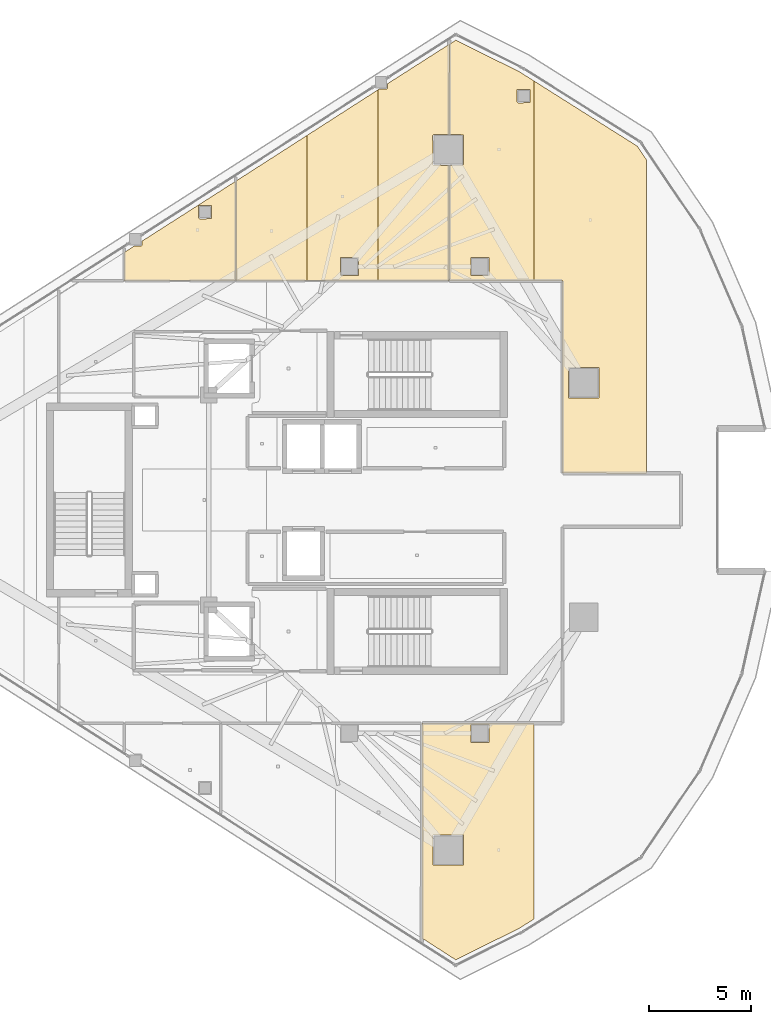
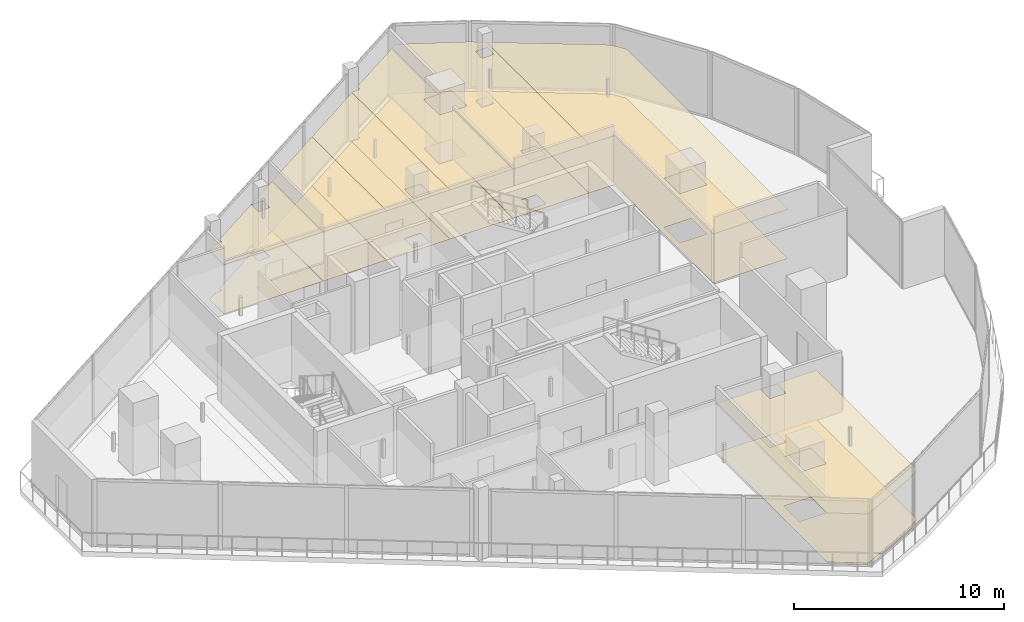
# One storey, part 25 of 25: 14 coverings.
"""IFC4 building model written with IfcOpenShell, lengths in metres."""

from ifc_helpers import new_model, si_unit, direction, frame, origin, place, context, subcontext, project, spatial, polyline, outline, extrude, material, layer, layer_set, type_object, element, save


model = new_model("IFC4")

# Units and contexts
model_context = context("Model", 3, precision=1e-05, world=origin(), true_north=direction((0.0, 1.0)))
body_context = subcontext(model_context, "Body", "Model", "MODEL_VIEW")
ifc_project = project(units=[si_unit("LENGTHUNIT", "METRE"), si_unit("AREAUNIT", "SQUARE_METRE"), si_unit("VOLUMEUNIT", "CUBIC_METRE"), si_unit("PLANEANGLEUNIT", "RADIAN"), si_unit("MASSUNIT", "GRAM", prefix="KILO")], contexts=[model_context])

# Site, building, storey
site_placement = place(None, origin())
site = spatial("IfcSite", under=ifc_project, at=site_placement, CompositionType="ELEMENT")
building_placement = place(site_placement, origin())
building = spatial("IfcBuilding", under=site, at=building_placement, Name="Qorvath Tower", CompositionType="ELEMENT")
storey_placement = place(building_placement, frame((0.0, 0.0, 297.60009765625)))
storey = spatial("IfcBuildingStorey", under=building, at=storey_placement, Name="L69", CompositionType="ELEMENT", Elevation=297.60009765625)

# Coverings
ifc_material_1 = material(Name="Acoustic mineral fibre ceiling tile", Category="gypsum")
ifc_layer_1 = layer(ifc_material_1, 0.030029296875)
ifc_layer_set_1 = layer_set([ifc_layer_1], Name="COV-CEIL")
covering_type_1 = type_object("IfcCoveringType", Name="COV-CEIL", PredefinedType="CEILING", material=ifc_layer_set_1)
covering_1_placement = place(storey_placement, frame((0.0, 0.0, 2.849853515625)))
element("IfcCovering", 1, at=covering_1_placement, inside=storey, type_object=covering_type_1, Name="L69 Suspended Acoustic Ceiling 015", PredefinedType="CEILING", context=body_context, shape_type="SweptSolid", body=[
    extrude(outline(polyline([(-20.034912109375, -10.962890625), (-20.0361328125, -21.495849609375), (-18.3740234375, -22.564697265625), (-15.2392578125, -21.0009765625), (-14.53173828125, -20.55419921875), (-14.53173828125, -10.9619140625), (-20.034912109375, -10.962890625)]), holes=[polyline([(-17.642333984375, -11.892333984375), (-17.642333984375, -11.007568359375), (-16.757568359375, -11.007568359375), (-16.757568359375, -11.892333984375), (-17.642333984375, -11.892333984375)]), polyline([(-19.492919921875, -17.91796875), (-19.492919921875, -16.43310546875), (-18.008056640625, -16.43310546875), (-18.008056640625, -17.91796875), (-19.492919921875, -17.91796875)])]), origin(), (0.0, 0.0, 1.0), 0.030029296875),
])
covering_2_placement = place(storey_placement, frame((0.0, 0.0, 2.849853515625)))
element("IfcCovering", 2, at=covering_2_placement, inside=storey, type_object=covering_type_1, Name="L69 Suspended Acoustic Ceiling 016", PredefinedType="CEILING", context=body_context, shape_type="SweptSolid", body=[
    extrude(outline(polyline([(-14.53173828125, 10.761962890625), (-14.53173828125, 20.553955078125), (-15.240966796875, 21.001708984375), (-18.3740234375, 22.564697265625), (-18.693603515625, 22.352294921875), (-18.693603515625, 17.935546875), (-18.008056640625, 17.91796875), (-17.990478515625, 16.4755859375), (-18.050537109375, 16.41552734375), (-18.693603515625, 16.41552734375), (-18.693603515625, 10.762939453125), (-14.53173828125, 10.761962890625)]), holes=[polyline([(-15.381103515625, 19.543212890625), (-15.363525390625, 20.135498046875), (-14.728759765625, 20.135498046875), (-14.728759765625, 19.500732421875), (-15.321044921875, 19.483154296875), (-15.381103515625, 19.543212890625)]), polyline([(-17.642333984375, 11.007568359375), (-17.642333984375, 11.892333984375), (-16.757568359375, 11.892333984375), (-16.757568359375, 11.007568359375), (-17.642333984375, 11.007568359375)])]), origin(), (0.0, 0.0, 1.0), 0.030029296875),
])
covering_3_placement = place(storey_placement, frame((0.0, 0.0, 2.849853515625)))
element("IfcCovering", 3, at=covering_3_placement, inside=storey, type_object=covering_type_1, Name="L69 Suspended Acoustic Ceiling 017", PredefinedType="CEILING", context=body_context, shape_type="SweptSolid", body=[
    extrude(outline(polyline([(-9.02734375, 1.31201171875), (-9.02734375, 16.701171875), (-9.476806640625, 17.362548828125), (-14.53173828125, 20.553955078125), (-14.53173828125, 10.761962890625), (-13.138427734375, 10.761474609375), (-13.136962890625, 1.31298828125), (-9.02734375, 1.31201171875)]), holes=[polyline([(-12.839111328125, 5.015380859375), (-12.839111328125, 6.500244140625), (-11.3544921875, 6.500244140625), (-11.3544921875, 5.015380859375), (-12.839111328125, 5.015380859375)])]), origin(), (0.0, 0.0, 1.0), 0.030029296875),
])
covering_4_placement = place(storey_placement, frame((0.0, 0.0, 2.849853515625)))
element("IfcCovering", 4, at=covering_4_placement, inside=storey, type_object=covering_type_1, Name="L69 Suspended Acoustic Ceiling 018", PredefinedType="CEILING", context=body_context, shape_type="SweptSolid", body=[
    extrude(outline(polyline([(-29.188232421875, 15.6318359375), (-33.769287109375, 12.7041015625), (-33.786865234375, 12.47509765625), (-34.155029296875, 12.45751953125), (-34.636962890625, 12.1494140625), (-34.636962890625, 10.762939453125), (-29.188232421875, 10.762939453125), (-29.188232421875, 15.6318359375)]), holes=[polyline([(-30.99462890625, 14.441650390625), (-30.35986328125, 14.441650390625), (-30.35986328125, 13.806884765625), (-30.9521484375, 13.789306640625), (-31.01220703125, 13.849365234375), (-30.99462890625, 14.441650390625)])]), origin(), (0.0, 0.0, 1.0), 0.030029296875),
])
covering_5_placement = place(storey_placement, frame((0.0, 0.0, 2.849853515625)))
element("IfcCovering", 5, at=covering_5_placement, inside=storey, type_object=covering_type_1, Name="L69 Suspended Acoustic Ceiling 019", PredefinedType="CEILING", context=body_context, shape_type="SweptSolid", body=[
    extrude(outline(polyline([(-25.677490234375, 10.762939453125), (-25.677490234375, 17.887451171875), (-29.170166015625, 15.6435546875), (-29.170166015625, 10.762939453125), (-25.677490234375, 10.762939453125)])), origin(), (0.0, 0.0, 1.0), 0.030029296875),
])
covering_6_placement = place(storey_placement, frame((0.0, 0.0, 2.849853515625)))
element("IfcCovering", 6, at=covering_6_placement, inside=storey, type_object=covering_type_1, Name="L69 Suspended Acoustic Ceiling 020", PredefinedType="CEILING", context=body_context, shape_type="SweptSolid", body=[
    extrude(outline(polyline([(-22.1845703125, 10.762939453125), (-22.1845703125, 20.131591796875), (-25.677490234375, 17.887451171875), (-25.677490234375, 10.762939453125), (-22.1845703125, 10.762939453125)]), holes=[polyline([(-24.04248046875, 11.007568359375), (-24.04248046875, 11.892333984375), (-23.157470703125, 11.892333984375), (-23.157470703125, 11.007568359375), (-24.04248046875, 11.007568359375)])]), origin(), (0.0, 0.0, 1.0), 0.030029296875),
])
covering_7_placement = place(storey_placement, frame((0.0, 0.0, 2.849853515625)))
element("IfcCovering", 7, at=covering_7_placement, inside=storey, type_object=covering_type_1, Name="L69 Suspended Acoustic Ceiling 021", PredefinedType="CEILING", context=body_context, shape_type="SweptSolid", body=[
    extrude(outline(polyline([(-21.7783203125, 20.159912109375), (-22.140380859375, 20.159912109375), (-22.1845703125, 20.131591796875), (-22.1845703125, 10.762939453125), (-18.711669921875, 10.762939453125), (-18.711669921875, 16.41552734375), (-19.492919921875, 16.43310546875), (-19.510498046875, 17.87548828125), (-19.45068359375, 17.935546875), (-18.71142578125, 17.935546875), (-18.69189453125, 22.363037109375), (-21.71826171875, 20.429931640625), (-21.71826171875, 20.219970703125), (-21.7783203125, 20.159912109375)])), origin(), (0.0, 0.0, 1.0), 0.030029296875),
])
ifc_material_2 = material(Name="Low-VOC modular carpet tile", Category="textile")
ifc_layer_2 = layer(ifc_material_2, 0.014892578125)
ifc_layer_set_2 = layer_set([ifc_layer_2], Name="COV-FLOOR-CPT")
covering_type_2 = type_object("IfcCoveringType", Name="COV-FLOOR-CPT", PredefinedType="FLOORING", material=ifc_layer_set_2)
covering_8_placement = place(storey_placement, origin())
element("IfcCovering", 8, at=covering_8_placement, inside=storey, type_object=covering_type_2, Name="L69 Floor Finish 015", PredefinedType="FLOORING", context=body_context, shape_type="SweptSolid", body=[
    extrude(outline(polyline([(-20.034912109375, -10.962890625), (-20.0361328125, -21.495849609375), (-18.3740234375, -22.564697265625), (-15.2392578125, -21.0009765625), (-14.53173828125, -20.55419921875), (-14.53173828125, -10.9619140625), (-20.034912109375, -10.962890625)]), holes=[polyline([(-17.642333984375, -11.892333984375), (-17.642333984375, -11.007568359375), (-16.757568359375, -11.007568359375), (-16.757568359375, -11.892333984375), (-17.642333984375, -11.892333984375)]), polyline([(-19.492919921875, -17.91796875), (-19.492919921875, -16.43310546875), (-18.008056640625, -16.43310546875), (-18.008056640625, -17.91796875), (-19.492919921875, -17.91796875)])]), origin(), (0.0, 0.0, 1.0), 0.014892578125),
])
covering_9_placement = place(storey_placement, origin())
element("IfcCovering", 9, at=covering_9_placement, inside=storey, type_object=covering_type_2, Name="L69 Floor Finish 016", PredefinedType="FLOORING", context=body_context, shape_type="SweptSolid", body=[
    extrude(outline(polyline([(-14.53173828125, 10.761962890625), (-14.53173828125, 20.553955078125), (-15.240966796875, 21.001708984375), (-18.3740234375, 22.564697265625), (-18.693603515625, 22.352294921875), (-18.693603515625, 17.935546875), (-18.008056640625, 17.91796875), (-17.990478515625, 16.4755859375), (-18.050537109375, 16.41552734375), (-18.693603515625, 16.41552734375), (-18.693603515625, 10.762939453125), (-14.53173828125, 10.761962890625)]), holes=[polyline([(-15.381103515625, 19.543212890625), (-15.363525390625, 20.135498046875), (-14.728759765625, 20.135498046875), (-14.728759765625, 19.500732421875), (-15.321044921875, 19.483154296875), (-15.381103515625, 19.543212890625)]), polyline([(-17.642333984375, 11.007568359375), (-17.642333984375, 11.892333984375), (-16.757568359375, 11.892333984375), (-16.757568359375, 11.007568359375), (-17.642333984375, 11.007568359375)])]), origin(), (0.0, 0.0, 1.0), 0.014892578125),
])
covering_10_placement = place(storey_placement, origin())
element("IfcCovering", 10, at=covering_10_placement, inside=storey, type_object=covering_type_2, Name="L69 Floor Finish 017", PredefinedType="FLOORING", context=body_context, shape_type="SweptSolid", body=[
    extrude(outline(polyline([(-9.02734375, 1.31201171875), (-9.02734375, 16.701171875), (-9.476806640625, 17.362548828125), (-14.53173828125, 20.553955078125), (-14.53173828125, 10.761962890625), (-13.138427734375, 10.761474609375), (-13.136962890625, 1.31298828125), (-9.02734375, 1.31201171875)]), holes=[polyline([(-12.839111328125, 5.015380859375), (-12.839111328125, 6.500244140625), (-11.3544921875, 6.500244140625), (-11.3544921875, 5.015380859375), (-12.839111328125, 5.015380859375)])]), origin(), (0.0, 0.0, 1.0), 0.014892578125),
])
covering_11_placement = place(storey_placement, origin())
element("IfcCovering", 11, at=covering_11_placement, inside=storey, type_object=covering_type_2, Name="L69 Floor Finish 018", PredefinedType="FLOORING", context=body_context, shape_type="SweptSolid", body=[
    extrude(outline(polyline([(-29.188232421875, 15.6318359375), (-33.769287109375, 12.7041015625), (-33.786865234375, 12.47509765625), (-34.155029296875, 12.45751953125), (-34.636962890625, 12.1494140625), (-34.636962890625, 10.762939453125), (-29.188232421875, 10.762939453125), (-29.188232421875, 15.6318359375)]), holes=[polyline([(-30.99462890625, 14.441650390625), (-30.35986328125, 14.441650390625), (-30.35986328125, 13.806884765625), (-30.9521484375, 13.789306640625), (-31.01220703125, 13.849365234375), (-30.99462890625, 14.441650390625)])]), origin(), (0.0, 0.0, 1.0), 0.014892578125),
])
covering_12_placement = place(storey_placement, origin())
element("IfcCovering", 12, at=covering_12_placement, inside=storey, type_object=covering_type_2, Name="L69 Floor Finish 019", PredefinedType="FLOORING", context=body_context, shape_type="SweptSolid", body=[
    extrude(outline(polyline([(-25.677490234375, 10.762939453125), (-25.677490234375, 17.887451171875), (-29.170166015625, 15.6435546875), (-29.170166015625, 10.762939453125), (-25.677490234375, 10.762939453125)])), origin(), (0.0, 0.0, 1.0), 0.014892578125),
])
covering_13_placement = place(storey_placement, origin())
element("IfcCovering", 13, at=covering_13_placement, inside=storey, type_object=covering_type_2, Name="L69 Floor Finish 020", PredefinedType="FLOORING", context=body_context, shape_type="SweptSolid", body=[
    extrude(outline(polyline([(-22.1845703125, 10.762939453125), (-22.1845703125, 20.131591796875), (-25.677490234375, 17.887451171875), (-25.677490234375, 10.762939453125), (-22.1845703125, 10.762939453125)]), holes=[polyline([(-24.04248046875, 11.007568359375), (-24.04248046875, 11.892333984375), (-23.157470703125, 11.892333984375), (-23.157470703125, 11.007568359375), (-24.04248046875, 11.007568359375)])]), origin(), (0.0, 0.0, 1.0), 0.014892578125),
])
covering_14_placement = place(storey_placement, origin())
element("IfcCovering", 14, at=covering_14_placement, inside=storey, type_object=covering_type_2, Name="L69 Floor Finish 021", PredefinedType="FLOORING", context=body_context, shape_type="SweptSolid", body=[
    extrude(outline(polyline([(-21.7783203125, 20.159912109375), (-22.140380859375, 20.159912109375), (-22.1845703125, 20.131591796875), (-22.1845703125, 10.762939453125), (-18.711669921875, 10.762939453125), (-18.711669921875, 16.41552734375), (-19.492919921875, 16.43310546875), (-19.510498046875, 17.87548828125), (-19.45068359375, 17.935546875), (-18.71142578125, 17.935546875), (-18.69189453125, 22.363037109375), (-21.71826171875, 20.429931640625), (-21.71826171875, 20.219970703125), (-21.7783203125, 20.159912109375)])), origin(), (0.0, 0.0, 1.0), 0.014892578125),
])

save(model, "model.ifc")
